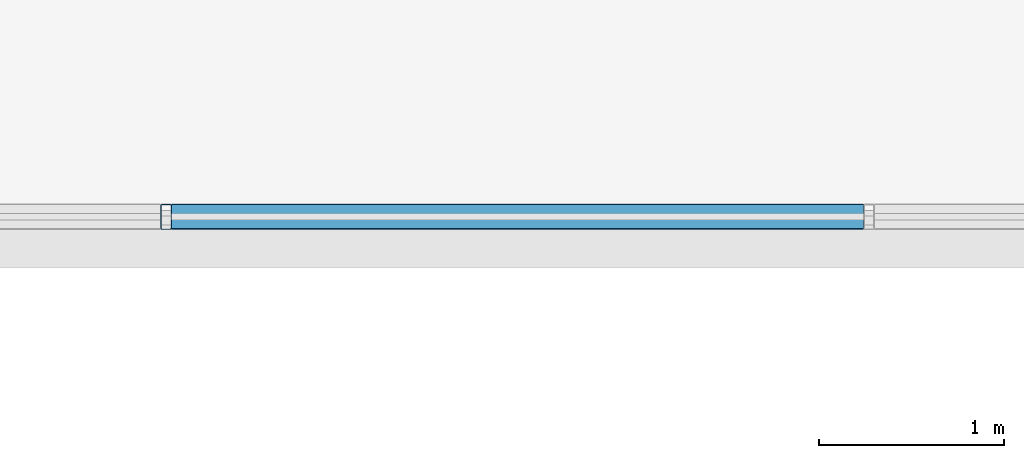
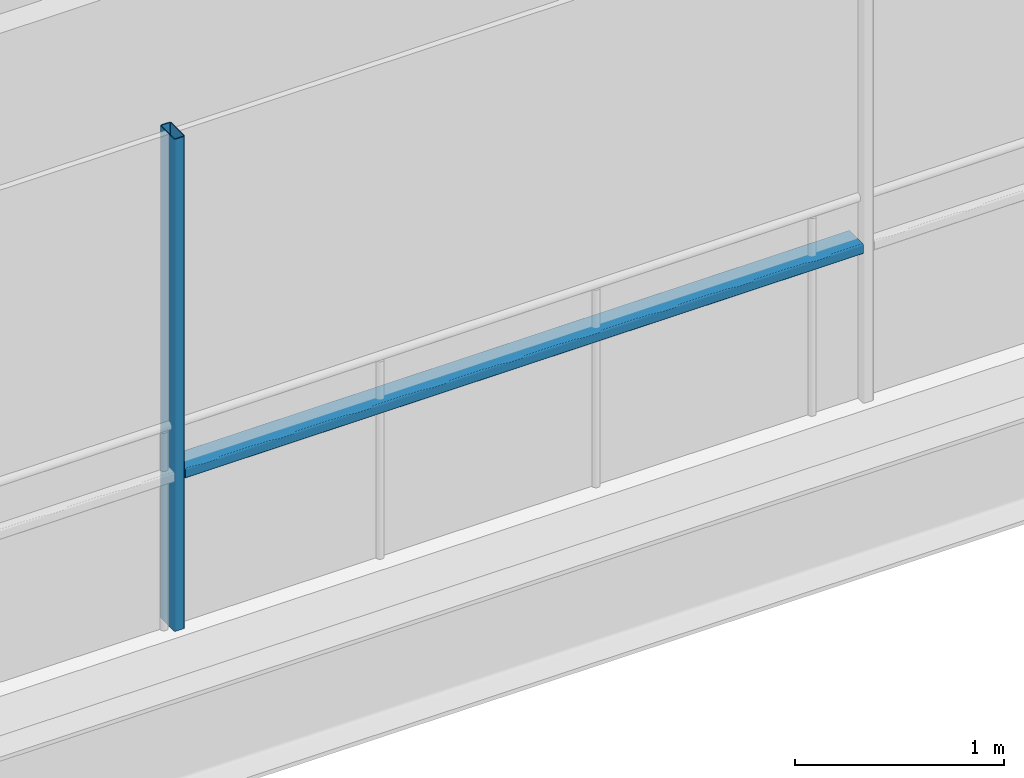
# One storey, part 11 of 41: 2 members, 1 element without a shape of its own.
"""IFC4 building model written with IfcOpenShell, lengths in metres."""

from ifc_helpers import new_model, si_unit, direction, frame, origin, origin_2d, place, context, subcontext, project, spatial, hollow_rectangle, extrude, material, layer, layer_set, material_profile, profile_set, type_object, element, aggregate, save


model = new_model("IFC4")

# Units and contexts
model_context = context("Model", 3, precision=1e-05, world=origin(), true_north=direction((0.0, 1.0)))
body_context = subcontext(model_context, "Body", "Model", "MODEL_VIEW")
ifc_project = project(units=[si_unit("LENGTHUNIT", "METRE"), si_unit("AREAUNIT", "SQUARE_METRE"), si_unit("VOLUMEUNIT", "CUBIC_METRE"), si_unit("PLANEANGLEUNIT", "RADIAN"), si_unit("MASSUNIT", "GRAM", prefix="KILO")], contexts=[model_context])

# Site, building, storey
site_placement = place(None, origin())
site = spatial("IfcSite", under=ifc_project, at=site_placement, CompositionType="ELEMENT")
building_placement = place(site_placement, origin())
building = spatial("IfcBuilding", under=site, at=building_placement, Name="Brevholm Reach", CompositionType="ELEMENT")
storey_placement = place(building_placement, frame((0.0, 0.0, 68.300048828125)))
storey = spatial("IfcBuildingStorey", under=building, at=storey_placement, Name="L19", CompositionType="ELEMENT", Elevation=68.300048828125)

# Curtain wall, members
ifc_material_1 = material(Name="Dark Anodised Aluminium 6063-T6 and Solar-Control Glass", Category="aluminium")
ifc_layer = layer(ifc_material_1, 0.139892578125)
ifc_layer_set = layer_set([ifc_layer], Name="Dark Anodised Aluminium 6063-T6 and Solar-Control Glass")
curtain_wall_type = type_object("IfcCurtainWallType", Name="CW-02", PredefinedType="NOTDEFINED", material=ifc_layer_set)
curtain_wall_placement = place(storey_placement, origin())
curtain_wall = element("IfcCurtainWall", 1, at=curtain_wall_placement, inside=storey, type_object=curtain_wall_type, Name="L19 Curtain Wall CW-02", PredefinedType="NOTDEFINED")
ifc_material_2 = material(Name="Dark Anodised Aluminium 6063-T6", Category="aluminium")
ifc_material_profile_1 = material_profile(ifc_material_2, hollow_rectangle(XDim=0.06005859375, YDim=0.139892578125, WallThickness=0.0048828125, InnerFilletRadius=0.0048828125, OuterFilletRadius=0.010009765625, at=origin_2d()), Name="RHS 140x60x5")
ifc_profile_set_1 = profile_set([ifc_material_profile_1], Name="Dark Anodised Aluminium 6063-T6")
member_type_1 = type_object("IfcMemberType", Name="CWM-140", PredefinedType="MULLION", material=ifc_profile_set_1)
member_1_placement = place(storey_placement, frame((30.050048828125, 26.6201171875, 0.0), z_axis=(0.0, 0.0, 1.0), x_axis=(-1.0, 0.0, 0.0)))
member_1 = element("IfcMember", 2, at=member_1_placement, type_object=member_type_1, Name="CM-140 Mullion 3", PredefinedType="MULLION", context=body_context, shape_type="SweptSolid", body=[
    extrude(hollow_rectangle(XDim=0.06005859375, YDim=0.139892578125, WallThickness=0.0048828125, InnerFilletRadius=0.0048828125, OuterFilletRadius=0.010009765625, at=origin_2d()), origin(), (0.0, 0.0, 1.0), 2.869873046875),
])
ifc_material_3 = material(Name="Dark Anodised Aluminium 6063-T6", Category="aluminium")
ifc_material_profile_2 = material_profile(ifc_material_3, hollow_rectangle(XDim=0.06005859375, YDim=0.139892578125, WallThickness=0.0048828125, InnerFilletRadius=0.0048828125, OuterFilletRadius=0.010009765625, at=origin_2d()), Name="RHS 140x60x5")
ifc_profile_set_2 = profile_set([ifc_material_profile_2], Name="Dark Anodised Aluminium 6063-T6")
member_type_2 = type_object("IfcMemberType", Name="CWT-140", PredefinedType="NOTDEFINED", material=ifc_profile_set_2)
member_2_placement = place(storey_placement, frame((33.820068359375, 26.6201171875, 0.89990234375), z_axis=(-1.0, 0.0, 0.0), x_axis=(0.0, 0.0, 1.0)))
member_2 = element("IfcMember", 3, at=member_2_placement, type_object=member_type_2, Name="CT-140 Transom 2.1", ObjectType="TRANSOM", PredefinedType="USERDEFINED", context=body_context, shape_type="SweptSolid", body=[
    extrude(hollow_rectangle(XDim=0.06005859375, YDim=0.139892578125, WallThickness=0.0048828125, InnerFilletRadius=0.0048828125, OuterFilletRadius=0.010009765625, at=origin_2d()), origin(), (0.0, 0.0, 1.0), 3.739990234375),
])
aggregate(curtain_wall, [member_1, member_2])

save(model, "model.ifc")
